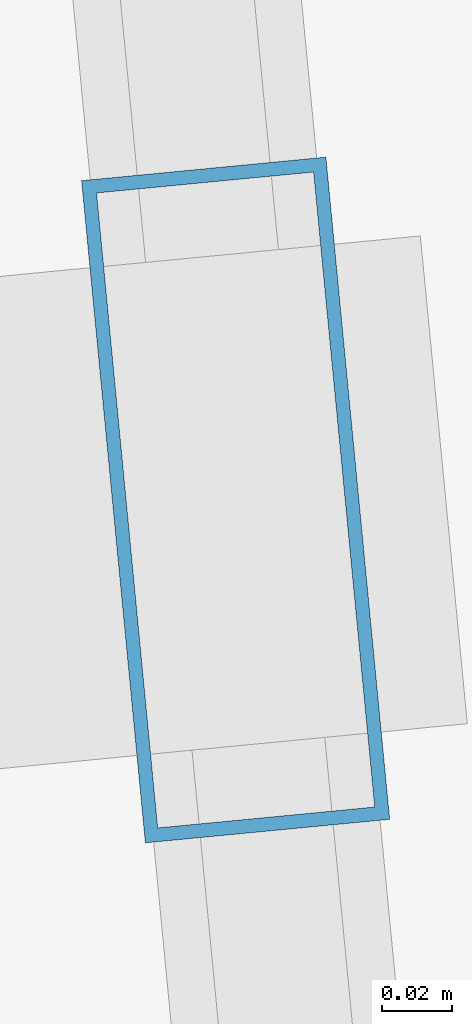
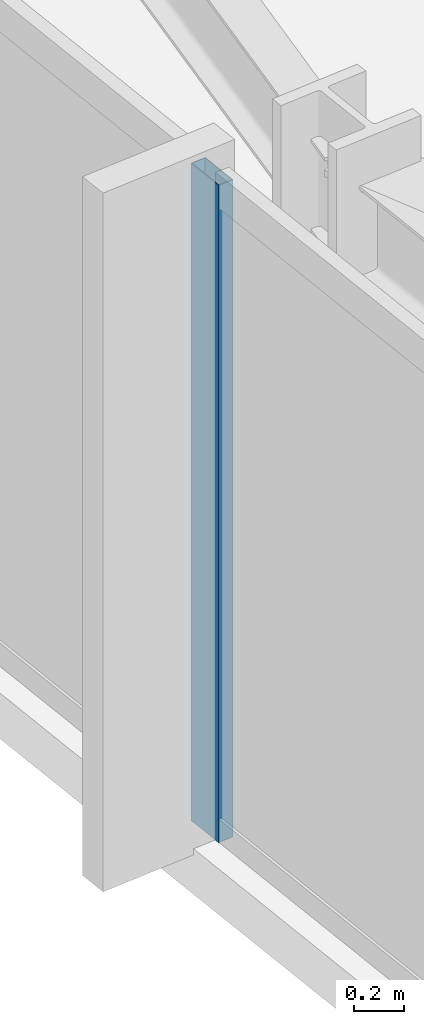
# One storey, part 8 of 32: 1 member, 1 element without a shape of its own.
"""IFC4 building model written with IfcOpenShell, lengths in metres."""

from ifc_helpers import new_model, si_unit, direction, frame, origin, origin_2d, place, context, subcontext, project, spatial, hollow_rectangle, extrude, material, material_profile, profile_set, type_object, element, aggregate, save


model = new_model("IFC4")

# Units and contexts
model_context = context("Model", 3, precision=1e-05, world=origin(), true_north=direction((0.0, 1.0)))
body_context = subcontext(model_context, "Body", "Model", "MODEL_VIEW")
ifc_project = project(units=[si_unit("LENGTHUNIT", "METRE"), si_unit("AREAUNIT", "SQUARE_METRE"), si_unit("VOLUMEUNIT", "CUBIC_METRE"), si_unit("PLANEANGLEUNIT", "RADIAN"), si_unit("MASSUNIT", "GRAM", prefix="KILO")], contexts=[model_context])

# Site, building, storey
site_placement = place(None, origin())
site = spatial("IfcSite", under=ifc_project, at=site_placement, CompositionType="ELEMENT")
building_placement = place(site_placement, origin())
building = spatial("IfcBuilding", under=site, at=building_placement, Name="Yelkora Congress Tower", CompositionType="ELEMENT")
storey_placement = place(building_placement, frame((0.0, 0.0, 120.300048828125)))
storey = spatial("IfcBuildingStorey", under=building, at=storey_placement, Name="L32", CompositionType="ELEMENT", Elevation=120.300048828125)

# Curtain wall, member
ifc_material_1 = material(Name="Anodised aluminium and insulated glass", Category="aluminium")
curtain_wall_type = type_object("IfcCurtainWallType", Name="CW-SYS-B2", PredefinedType="NOTDEFINED", material=ifc_material_1)
curtain_wall_placement = place(storey_placement, origin())
curtain_wall = element("IfcCurtainWall", 1, at=curtain_wall_placement, inside=storey, type_object=curtain_wall_type, Name="L32 Unitised Curtain Wall 5", PredefinedType="NOTDEFINED")
ifc_material_2 = material(Name="Anodised aluminium 6063-T6", Category="aluminium")
ifc_material_profile = material_profile(ifc_material_2, hollow_rectangle(XDim=0.070068359375, YDim=0.18994140625, WallThickness=0.00390625, at=origin_2d()), Name="ALU 70x190x4")
ifc_profile_set = profile_set([ifc_material_profile], Name="Anodised aluminium 6063-T6")
member_type = type_object("IfcMemberType", Name="MEM-ML-B2", PredefinedType="MULLION", material=ifc_profile_set)
member_placement = place(storey_placement, frame((14.47021484375, 35.0341796875, 0.0), z_axis=(0.0, 0.0, 1.0), x_axis=(-0.995396507508, -0.095842541913, 0.0)))
member = element("IfcMember", 2, at=member_placement, type_object=member_type, Name="CW-B2 mullion 4", PredefinedType="MULLION", context=body_context, shape_type="SweptSolid", body=[
    extrude(hollow_rectangle(XDim=0.070068359375, YDim=0.18994140625, WallThickness=0.00390625, at=origin_2d()), origin(), (0.0, 0.0, 1.0), 3.179931640625),
])
aggregate(curtain_wall, [member])

save(model, "model.ifc")
